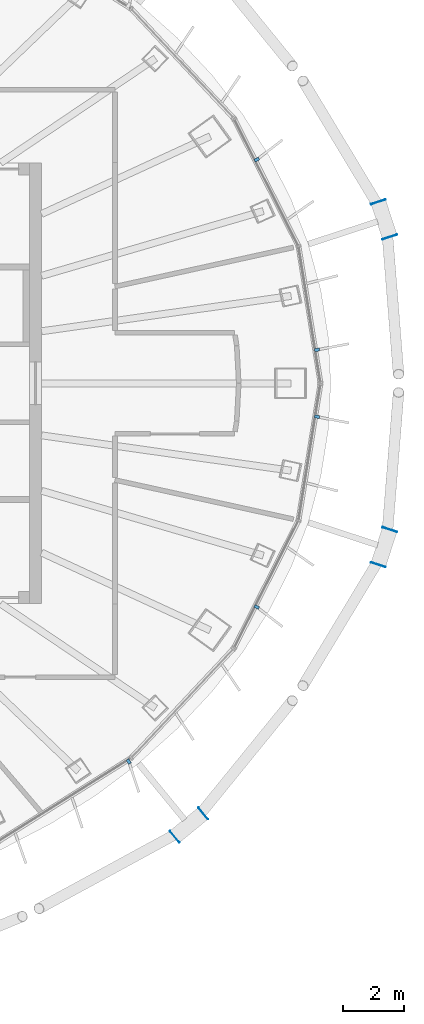
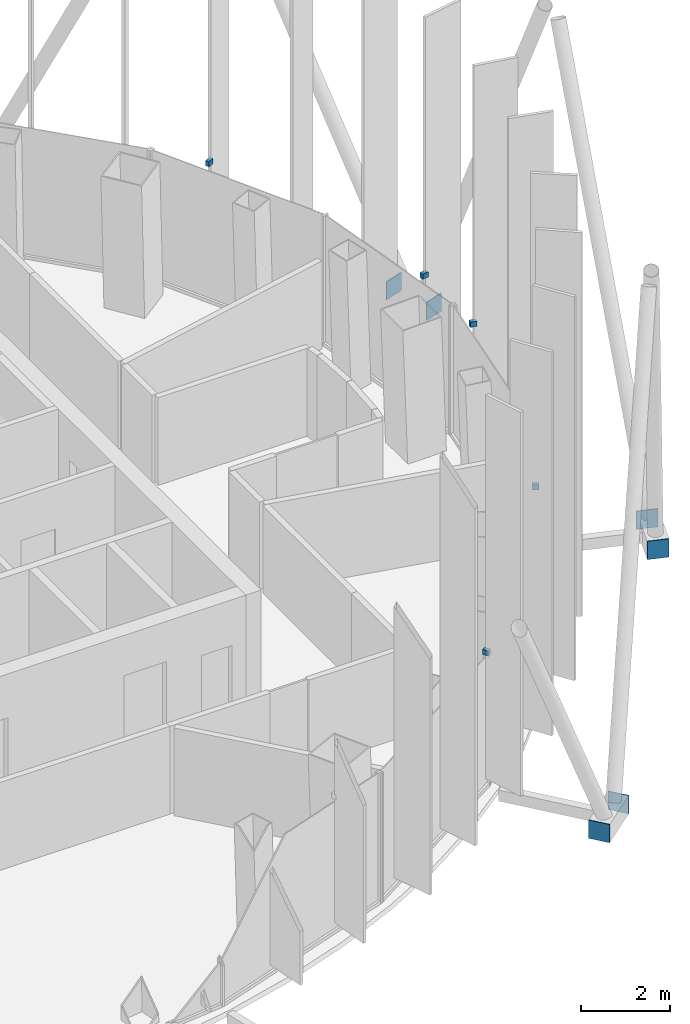
# One storey, part 14 of 19: 11 discrete accessories.
"""IFC4 building model written with IfcOpenShell, lengths in metres."""

from ifc_helpers import new_model, si_unit, direction, frame, origin, origin_2d, place, context, subcontext, project, spatial, rectangle, extrude, material, layer, layer_set, type_object, element, save


model = new_model("IFC4")

# Units and contexts
model_context = context("Model", 3, precision=1e-05, world=origin(), true_north=direction((0.0, 1.0)))
body_context = subcontext(model_context, "Body", "Model", "MODEL_VIEW")
ifc_project = project(units=[si_unit("LENGTHUNIT", "METRE"), si_unit("AREAUNIT", "SQUARE_METRE"), si_unit("VOLUMEUNIT", "CUBIC_METRE"), si_unit("PLANEANGLEUNIT", "RADIAN"), si_unit("MASSUNIT", "GRAM", prefix="KILO")], contexts=[model_context])

# Site, building, storey
site_placement = place(None, origin())
site = spatial("IfcSite", under=ifc_project, at=site_placement, CompositionType="ELEMENT")
building_placement = place(site_placement, origin())
building = spatial("IfcBuilding", under=site, at=building_placement, Name="Siaravel Broadcast Tower", CompositionType="ELEMENT")
storey_placement = place(building_placement, frame((0.0, 0.0, 239.300048828125)))
storey = spatial("IfcBuildingStorey", under=building, at=storey_placement, Name="L58", CompositionType="ELEMENT", Elevation=239.300048828125)

# Discrete accessories
ifc_material_1 = material(Name="Stainless steel 316", Category="steel")
discrete_accessory_type_1 = type_object("IfcDiscreteAccessoryType", Name="Stainless steel fin bracket", PredefinedType="USERDEFINED", material=ifc_material_1)
for number, where, z_axis, x_axis, name in (
    (1, (21.0029296875, 1.092529296875, 3.6748046875), (0.0, 0.0, 1.0), (0.987329198, 0.158685394, 0.0), "Fin bracket L58-01"),
    (2, (19.0341796875, 7.310546875, 3.6748046875), (0.0, 0.0, 1.0), (0.892392939, 0.451259174, 0.0), "Fin bracket L58-04"),
    (3, (14.849365234375, -12.362060546875, 3.6748046875), (0.0, 0.0, 1.0), (0.53215093, -0.846649507, 0.0), "Fin bracket L58-49"),
    (4, (19.0341796875, -7.310546875, 3.6748046875), (0.0, 0.0, 1.0), (0.892392939, -0.451259174, 0.0), "Fin bracket L58-52"),
    (5, (21.0029296875, -1.092529296875, 3.6748046875), (0.0, 0.0, 1.0), (0.987329198, -0.158685394, 0.0), "Fin bracket L58-55"),
):
    element("IfcDiscreteAccessory", number, at=place(storey_placement, frame(where, z_axis=z_axis, x_axis=x_axis)), inside=storey, type_object=discrete_accessory_type_1, Name=name, ObjectType="BRACKET", PredefinedType="USERDEFINED", context=body_context, shape_type="SweptSolid", body=[
        extrude(rectangle(XDim=0.159912109375, YDim=0.10009765625, at=origin_2d()), origin(), (0.0, 0.0, 1.0), 0.139892578125),
    ])
ifc_material_2 = material(Name="Steel S355", Category="steel")
ifc_layer = layer(ifc_material_2, 0.02001953125)
ifc_layer_set = layer_set([ifc_layer], Name="Steel S355")
discrete_accessory_type_2 = type_object("IfcDiscreteAccessoryType", Name="Steel end plate 20 mm", PredefinedType="USERDEFINED", material=ifc_layer_set)
for number, where, z_axis, x_axis, name in (
    (6, (23.004638671875, 5.9296875, -0.449951171875), (0.0, 0.0, 1.0), (-0.310908675, 0.950439791, 0.0), "End plate R24 station 03A"),
    (7, (23.3798828125, 4.78271484375, -0.449951171875), (0.0, 0.0, 1.0), (-0.310908675, 0.950439791, 0.0), "End plate R24 station 03B"),
    (8, (17.283203125, -14.05419921875, -0.449951171875), (0.0, 0.0, 1.0), (0.773604694, 0.633668508, 0.0), "End plate R24 station 63A"),
    (9, (16.349609375, -14.818603515625, -0.449951171875), (0.0, 0.0, 1.0), (0.773604694, 0.633668508, 0.0), "End plate R24 station 63B"),
    (10, (23.3798828125, -4.78271484375, -0.449951171875), (0.0, 0.0, 1.0), (0.310908675, 0.950439791, 0.0), "End plate R24 station 69A"),
    (11, (23.004638671875, -5.9296875, -0.449951171875), (0.0, 0.0, 1.0), (0.310908675, 0.950439791, 0.0), "End plate R24 station 69B"),
):
    element("IfcDiscreteAccessory", number, at=place(storey_placement, frame(where, z_axis=z_axis, x_axis=x_axis)), inside=storey, type_object=discrete_accessory_type_2, Name=name, ObjectType="END PLATE", PredefinedType="USERDEFINED", context=body_context, shape_type="SweptSolid", body=[
        extrude(rectangle(XDim=0.02001953125, YDim=0.5, at=origin_2d()), origin(), (0.0, 0.0, 1.0), 0.5),
    ])

save(model, "model.ifc")
